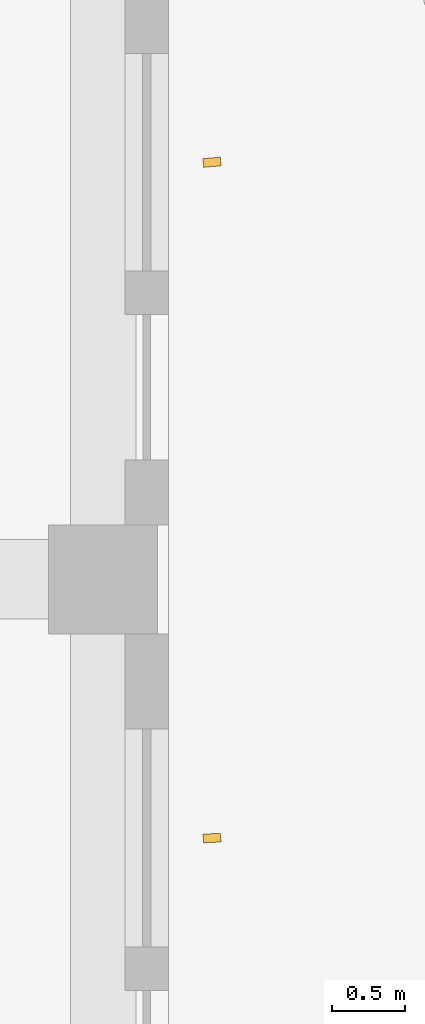
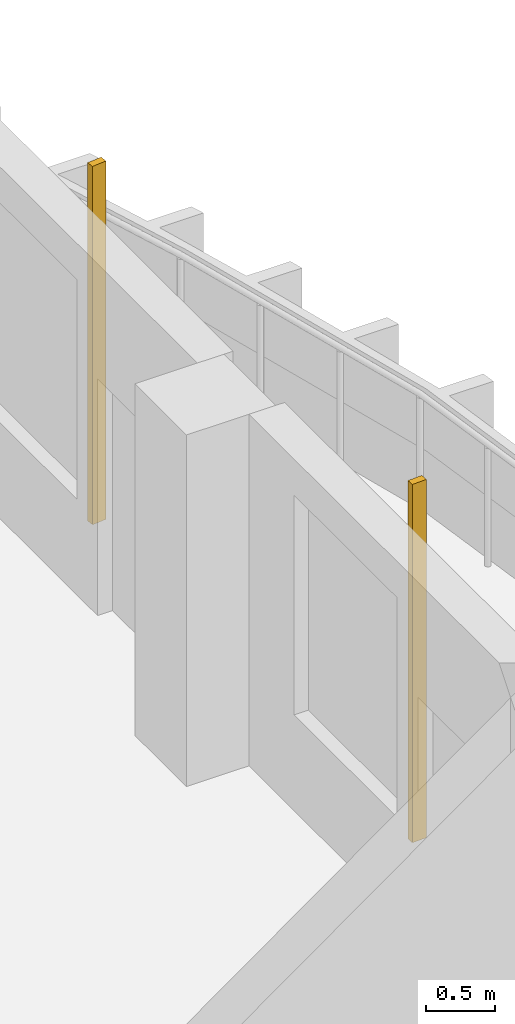
# One storey, part 20 of 22: 2 shading devices.
"""IFC4 building model written with IfcOpenShell, lengths in metres."""

from ifc_helpers import new_model, si_unit, direction, frame, origin, origin_2d, place, context, subcontext, project, spatial, rectangle, extrude, source, transform, mapped, material, material_profile, profile_set, type_object, element, save


model = new_model("IFC4")

# Units and contexts
model_context = context("Model", 3, precision=1e-05, world=origin(), true_north=direction((0.0, 1.0)))
body_context = subcontext(model_context, "Body", "Model", "MODEL_VIEW")
ifc_project = project(units=[si_unit("LENGTHUNIT", "METRE"), si_unit("AREAUNIT", "SQUARE_METRE"), si_unit("VOLUMEUNIT", "CUBIC_METRE"), si_unit("PLANEANGLEUNIT", "RADIAN"), si_unit("MASSUNIT", "GRAM", prefix="KILO")], contexts=[model_context])

# Site, building, storey
site_placement = place(None, origin())
site = spatial("IfcSite", under=ifc_project, at=site_placement, CompositionType="ELEMENT")
building_placement = place(site_placement, origin())
building = spatial("IfcBuilding", under=site, at=building_placement, Name="Kilnfold Tower and Market Hall", CompositionType="ELEMENT")
storey_placement = place(building_placement, frame((0.0, 0.0, 206.699951171875)))
storey = spatial("IfcBuildingStorey", under=building, at=storey_placement, Name="L50", CompositionType="ELEMENT", Elevation=206.699951171875)

# Shading devices
ifc_material = material(Name="Terracotta", Category="masonry")
ifc_material_profile = material_profile(ifc_material, rectangle(XDim=0.06005859375, YDim=0.1201171875, at=origin_2d()), Name="BAG 60x120")
ifc_profile_set = profile_set([ifc_material_profile], Name="Terracotta")
shading_device_type = type_object("IfcShadingDeviceType", Name="BAGUETTE", PredefinedType="USERDEFINED", material=ifc_profile_set)
shared_shape = source(origin(), body_context, "Body", "SweptSolid", [
    extrude(rectangle(XDim=0.06005859375, YDim=0.1201171875, at=origin_2d()), origin(), (0.0, 0.0, 1.0), 3.179931640625),
])
for number, where, z_axis, x_axis, name in (
    (1, (31.550048828125, -2.34375, 0.0), (0.0, 0.0, 1.0), (-0.049038039448, 0.998796911633, 0.0), "Terracotta baguette L50 E"),
    (2, (31.550048828125, 2.3125, 0.0), (0.0, 0.0, 1.0), (-0.089064660687, 0.996025846159, 0.0), "Terracotta baguette L50 E"),
):
    element("IfcShadingDevice", number, at=place(storey_placement, frame(where, z_axis=z_axis, x_axis=x_axis)), inside=storey, type_object=shading_device_type, Name=name, ObjectType="BAGUETTE", PredefinedType="USERDEFINED", context=body_context, shape_type="MappedRepresentation", body=[
        mapped(shared_shape, transform((0.0, 0.0, 0.0))),
    ])

save(model, "model.ifc")
